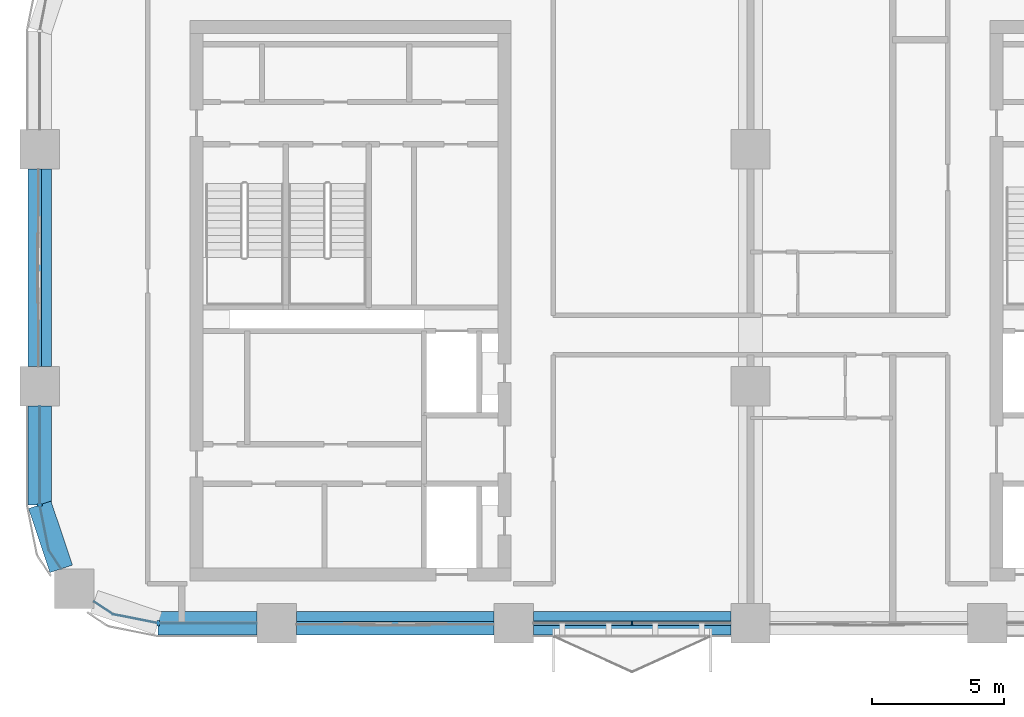
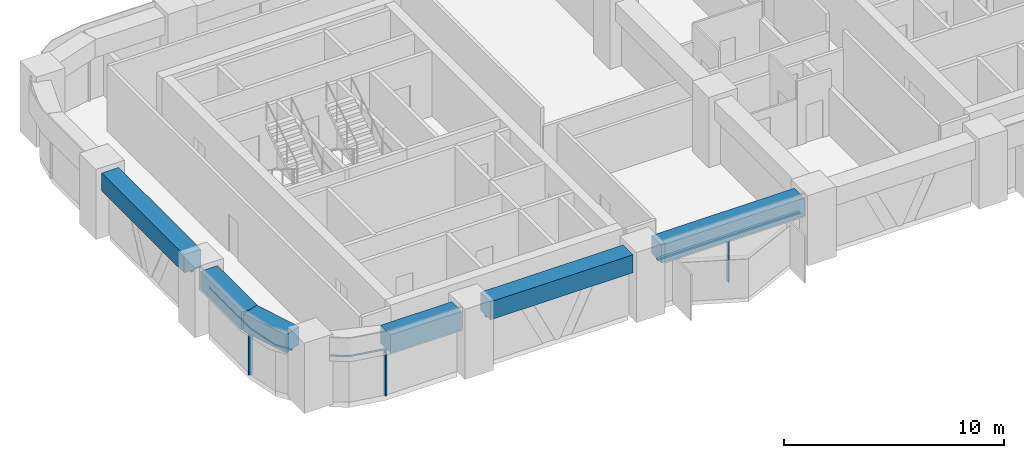
# One storey, part 2 of 13: 8 members, 6 beams, 5 elements without a shape of their own.
"""IFC4 building model written with IfcOpenShell, lengths in metres."""

from ifc_helpers import new_model, si_unit, direction, frame, origin, origin_2d, place, context, subcontext, project, spatial, polyline, rectangle, outline, extrude, material, material_profile, profile_set, type_object, element, aggregate, save


model = new_model("IFC4")

# Units and contexts
model_context = context("Model", 3, precision=1e-05, world=origin(), true_north=direction((0.0, 1.0)))
body_context = subcontext(model_context, "Body", "Model", "MODEL_VIEW")
ifc_project = project(units=[si_unit("LENGTHUNIT", "METRE"), si_unit("AREAUNIT", "SQUARE_METRE"), si_unit("VOLUMEUNIT", "CUBIC_METRE"), si_unit("PLANEANGLEUNIT", "RADIAN"), si_unit("MASSUNIT", "GRAM", prefix="KILO")], contexts=[model_context])

# Site, building, storey
site_placement = place(None, origin())
site = spatial("IfcSite", under=ifc_project, at=site_placement, CompositionType="ELEMENT")
building_placement = place(site_placement, origin())
building = spatial("IfcBuilding", under=site, at=building_placement, Name="Tessera Arch", CompositionType="ELEMENT")
storey_placement = place(building_placement, frame((0.0, 0.0, 189.5)))
storey = spatial("IfcBuildingStorey", under=building, at=storey_placement, Name="L45", CompositionType="ELEMENT", Elevation=189.5)

# Curtain wall, members
ifc_material_1 = material(Name="CW1 curtain wall")
curtain_wall_type_1 = type_object("IfcCurtainWallType", Name="CW1 curtain wall", PredefinedType="NOTDEFINED", material=ifc_material_1)
curtain_wall_1_placement = place(storey_placement, origin())
curtain_wall_1 = element("IfcCurtainWall", 1, at=curtain_wall_1_placement, inside=storey, type_object=curtain_wall_type_1, Name="CW1 curtain wall S27.0/2 L45", PredefinedType="NOTDEFINED")
ifc_material_2 = material(Name="Anodised aluminium pale metal", Category="aluminium")
ifc_material_profile_1 = material_profile(ifc_material_2, rectangle(XDim=0.159912109375, YDim=0.06005859375, at=origin_2d()), Name="AL 60x160")
ifc_profile_set_1 = profile_set([ifc_material_profile_1], Name="Anodised aluminium pale metal")
member_type_1 = type_object("IfcMemberType", Name="CW1 mullion", PredefinedType="MULLION", material=ifc_profile_set_1)
member_1_placement = place(storey_placement, frame((22.5, 27.0, 0.0), z_axis=(0.0, 0.0, 1.0), x_axis=(0.0, 1.0, 0.0)))
member_1 = element("IfcMember", 2, at=member_1_placement, type_object=member_type_1, Name="CW1 mullion S27.0/2 1", PredefinedType="MULLION", context=body_context, shape_type="SweptSolid", body=[
    extrude(rectangle(XDim=0.159912109375, YDim=0.06005859375, at=origin_2d()), origin(), (0.0, 0.0, 1.0), 2.5),
])
ifc_material_3 = material(Name="Anodised aluminium pale metal", Category="aluminium")
ifc_material_profile_2 = material_profile(ifc_material_3, rectangle(XDim=0.159912109375, YDim=0.10009765625, at=origin_2d()), Name="AL 160x100")
ifc_profile_set_2 = profile_set([ifc_material_profile_2], Name="Anodised aluminium pale metal")
member_type_2 = type_object("IfcMemberType", Name="CW1 transom", PredefinedType="USERDEFINED", material=ifc_profile_set_2)
member_2_placement = place(storey_placement, frame((18.75, 27.0, 2.550048828125), z_axis=(1.0, 0.0, 0.0), x_axis=(0.0, 1.0, 0.0)))
member_2 = element("IfcMember", 3, at=member_2_placement, type_object=member_type_2, Name="CW1 transom S27.0/2 1.1", ObjectType="TRANSOM", PredefinedType="USERDEFINED", context=body_context, shape_type="SweptSolid", body=[
    extrude(rectangle(XDim=0.159912109375, YDim=0.10009765625, at=origin_2d()), origin(), (0.0, 0.0, 1.0), 7.5),
])
aggregate(curtain_wall_1, [member_1, member_2])

# Curtain wall, member
ifc_material_4 = material(Name="CW2 curtain wall")
curtain_wall_type_2 = type_object("IfcCurtainWallType", Name="CW2 curtain wall", PredefinedType="NOTDEFINED", material=ifc_material_4)
curtain_wall_2_placement = place(storey_placement, origin())
curtain_wall_2 = element("IfcCurtainWall", 4, at=curtain_wall_2_placement, inside=storey, type_object=curtain_wall_type_2, Name="CW2 curtain wall W0.27/2 L45", PredefinedType="NOTDEFINED")
ifc_material_5 = material(Name="Anodised aluminium pale metal", Category="aluminium")
ifc_material_profile_3 = material_profile(ifc_material_5, rectangle(XDim=0.199951171875, YDim=0.080078125, at=origin_2d()), Name="AL 80x200")
ifc_profile_set_3 = profile_set([ifc_material_profile_3], Name="Anodised aluminium pale metal")
member_type_3 = type_object("IfcMemberType", Name="CW2 mullion", PredefinedType="MULLION", material=ifc_profile_set_3)
member_3_placement = place(storey_placement, frame((0.0, 31.5, 0.0), z_axis=(0.0, 0.0, 1.0), x_axis=(1.0, 0.0, 0.0)))
member_3 = element("IfcMember", 5, at=member_3_placement, type_object=member_type_3, Name="CW2 mullion W0.27/2 1", PredefinedType="MULLION", context=body_context, shape_type="SweptSolid", body=[
    extrude(rectangle(XDim=0.199951171875, YDim=0.080078125, at=origin_2d()), origin(), (0.0, 0.0, 1.0), 2.5),
])

curtain_wall_3_placement = place(storey_placement, origin())
curtain_wall_3 = element("IfcCurtainWall", 6, at=curtain_wall_3_placement, inside=storey, type_object=curtain_wall_type_2, Name="CW2 curtain wall S27.0/0 L45", PredefinedType="NOTDEFINED")
member_4_placement = place(storey_placement, frame((4.5, 27.0, 0.0), z_axis=(0.0, 0.0, 1.0), x_axis=(0.0, 1.0, 0.0)))
member_4 = element("IfcMember", 7, at=member_4_placement, type_object=member_type_3, Name="CW2 mullion S27.0/0 1", PredefinedType="MULLION", context=body_context, shape_type="SweptSolid", body=[
    extrude(rectangle(XDim=0.199951171875, YDim=0.080078125, at=origin_2d()), origin(), (0.0, 0.0, 1.0), 2.5),
])

# Member
ifc_material_6 = material(Name="Anodised aluminium pale metal", Category="aluminium")
ifc_material_profile_4 = material_profile(ifc_material_6, rectangle(XDim=0.199951171875, YDim=0.10009765625, at=origin_2d()), Name="AL 200x100")
ifc_profile_set_4 = profile_set([ifc_material_profile_4], Name="Anodised aluminium pale metal")
member_type_4 = type_object("IfcMemberType", Name="CW2 transom", PredefinedType="USERDEFINED", material=ifc_profile_set_4)
member_5_placement = place(storey_placement, frame((0.0, 0.0, 2.5)))
member_5 = element("IfcMember", 8, at=member_5_placement, type_object=member_type_4, Name="CW2 transom W0.27/2 1", ObjectType="TRANSOM", PredefinedType="USERDEFINED", context=body_context, shape_type="SweptSolid", body=[
    extrude(outline(polyline([(0.010009765625, 31.5009765625), (0.010009765625, 35.25), (-0.010009765625, 35.25), (-0.010009765625, 31.4990234375), (0.3330078125, 29.77392578125), (0.80859375, 29.0625), (0.8251953125, 29.073486328125), (0.351806640625, 29.78173828125), (0.010009765625, 31.5009765625)])), origin(), (0.0, 0.0, 1.0), 0.10009765625),
])

aggregate(curtain_wall_2, [member_3, member_5])

member_6_placement = place(storey_placement, frame((0.0, 0.0, 2.5)))
member_6 = element("IfcMember", 9, at=member_6_placement, type_object=member_type_4, Name="CW2 transom S27.0/0 1", ObjectType="TRANSOM", PredefinedType="USERDEFINED", context=body_context, shape_type="SweptSolid", body=[
    extrude(outline(polyline([(2.78173828125, 27.351806640625), (2.073486328125, 27.8251953125), (2.0625, 27.80859375), (2.77392578125, 27.3330078125), (4.4990234375, 26.989990234375), (8.25, 26.989990234375), (8.25, 27.010009765625), (4.5009765625, 27.010009765625), (2.78173828125, 27.351806640625)])), origin(), (0.0, 0.0, 1.0), 0.10009765625),
])

aggregate(curtain_wall_3, [member_4, member_6])

# Curtain wall, member
ifc_material_7 = material(Name="CW3 curtain wall")
curtain_wall_type_3 = type_object("IfcCurtainWallType", Name="CW3 curtain wall", PredefinedType="NOTDEFINED", material=ifc_material_7)
curtain_wall_4_placement = place(storey_placement, origin())
curtain_wall_4 = element("IfcCurtainWall", 10, at=curtain_wall_4_placement, inside=storey, type_object=curtain_wall_type_3, Name="CW3 curtain wall W0.27/1 L45", PredefinedType="NOTDEFINED")
ifc_material_8 = material(Name="Anodised aluminium pale metal", Category="aluminium")
ifc_material_profile_5 = material_profile(ifc_material_8, rectangle(XDim=0.139892578125, YDim=0.10009765625, at=origin_2d()), Name="AL 140x100")
ifc_profile_set_5 = profile_set([ifc_material_profile_5], Name="Anodised aluminium pale metal")
member_type_5 = type_object("IfcMemberType", Name="CW3 transom", PredefinedType="USERDEFINED", material=ifc_profile_set_5)
member_7_placement = place(storey_placement, frame((0.0, 44.25, 2.550048828125), z_axis=(0.0, -1.0, 0.0), x_axis=(1.0, 0.0, 0.0)))
member_7 = element("IfcMember", 11, at=member_7_placement, type_object=member_type_5, Name="CW3 transom W0.27/1 1.1", ObjectType="TRANSOM", PredefinedType="USERDEFINED", context=body_context, shape_type="SweptSolid", body=[
    extrude(rectangle(XDim=0.139892578125, YDim=0.10009765625, at=origin_2d()), origin(), (0.0, 0.0, 1.0), 7.5),
])
aggregate(curtain_wall_4, [member_7])

curtain_wall_5_placement = place(storey_placement, origin())
curtain_wall_5 = element("IfcCurtainWall", 12, at=curtain_wall_5_placement, inside=storey, type_object=curtain_wall_type_3, Name="CW3 curtain wall S27.0/1 L45", PredefinedType="NOTDEFINED")
member_8_placement = place(storey_placement, frame((9.75, 27.0, 2.550048828125), z_axis=(1.0, 0.0, 0.0), x_axis=(0.0, 1.0, 0.0)))
member_8 = element("IfcMember", 13, at=member_8_placement, type_object=member_type_5, Name="CW3 transom S27.0/1 1.1", ObjectType="TRANSOM", PredefinedType="USERDEFINED", context=body_context, shape_type="SweptSolid", body=[
    extrude(rectangle(XDim=0.139892578125, YDim=0.10009765625, at=origin_2d()), origin(), (0.0, 0.0, 1.0), 7.5),
])
aggregate(curtain_wall_5, [member_8])

# Beams
ifc_material_9 = material(Name="Concrete C70/85", Category="concrete")
ifc_material_profile_6 = material_profile(ifc_material_9, rectangle(XDim=0.89990234375, YDim=1.0, at=origin_2d()), Name="RC spandrel beam 900 x 1000 Concrete C70/85")
ifc_profile_set_6 = profile_set([ifc_material_profile_6], Name="Concrete C70/85")
beam_type = type_object("IfcBeamType", Name="RC spandrel beam 900 x 1000 Concrete C70/85", PredefinedType="BEAM", material=ifc_profile_set_6)
beam_1_placement = place(storey_placement, frame((0.0, 44.25, 3.10009765625), z_axis=(0.0, -1.0, 0.0), x_axis=(1.0, 0.0, 0.0)))
element("IfcBeam", 14, at=beam_1_placement, inside=storey, type_object=beam_type, Name="Spandrel beam L45 W0.27/1", PredefinedType="BEAM", context=body_context, shape_type="SweptSolid", body=[
    extrude(rectangle(XDim=0.89990234375, YDim=1.0, at=origin_2d()), origin(), (0.0, 0.0, 1.0), 7.5),
])
beam_2_placement = place(storey_placement, frame((0.0, 35.25, 3.10009765625), z_axis=(0.0, -1.0, 0.0), x_axis=(1.0, 0.0, 0.0)))
element("IfcBeam", 15, at=beam_2_placement, inside=storey, type_object=beam_type, Name="Spandrel beam L45 W0.27/2.1", PredefinedType="BEAM", context=body_context, shape_type="SweptSolid", body=[
    extrude(rectangle(XDim=0.89990234375, YDim=1.0, at=origin_2d()), origin(), (0.0, 0.0, 1.0), 3.75),
])
beam_3_placement = place(storey_placement, frame((0.0, 31.5, 3.10009765625), z_axis=(0.31842525032, -0.947947973234, 0.0), x_axis=(0.947947973234, 0.31842525032, 0.0)))
element("IfcBeam", 16, at=beam_3_placement, inside=storey, type_object=beam_type, Name="Spandrel beam L45 W0.27/2.2", PredefinedType="BEAM", context=body_context, shape_type="SweptSolid", body=[
    extrude(rectangle(XDim=0.89990234375, YDim=1.0, at=origin_2d()), origin(), (0.0, 0.0, 1.0), 2.5654296875),
])
beam_4_placement = place(storey_placement, frame((4.5, 27.0, 3.10009765625), z_axis=(1.0, 0.0, 0.0), x_axis=(0.0, 1.0, 0.0)))
element("IfcBeam", 17, at=beam_4_placement, inside=storey, type_object=beam_type, Name="Spandrel beam L45 S27.0/0.2", PredefinedType="BEAM", context=body_context, shape_type="SweptSolid", body=[
    extrude(rectangle(XDim=0.89990234375, YDim=1.0, at=origin_2d()), origin(), (0.0, 0.0, 1.0), 3.75),
])
for number, where, z_axis, x_axis, name in (
    (18, (9.75, 27.0, 3.10009765625), (1.0, 0.0, 0.0), (0.0, 1.0, 0.0), "Spandrel beam L45 S27.0/1"),
    (19, (18.75, 27.0, 3.10009765625), (1.0, 0.0, 0.0), (0.0, 1.0, 0.0), "Spandrel beam L45 S27.0/2"),
):
    element("IfcBeam", number, at=place(storey_placement, frame(where, z_axis=z_axis, x_axis=x_axis)), inside=storey, type_object=beam_type, Name=name, PredefinedType="BEAM", context=body_context, shape_type="SweptSolid", body=[
        extrude(rectangle(XDim=0.89990234375, YDim=1.0, at=origin_2d()), origin(), (0.0, 0.0, 1.0), 7.5),
    ])

save(model, "model.ifc")
